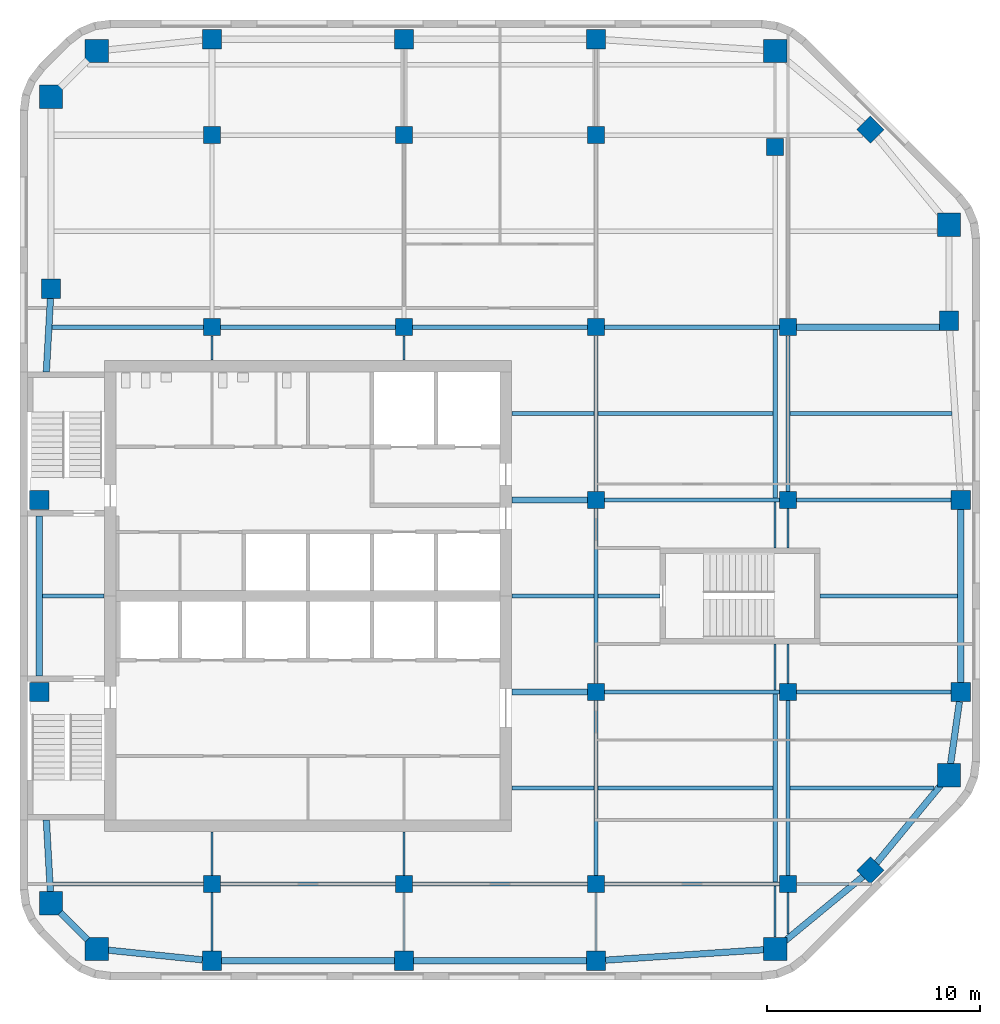
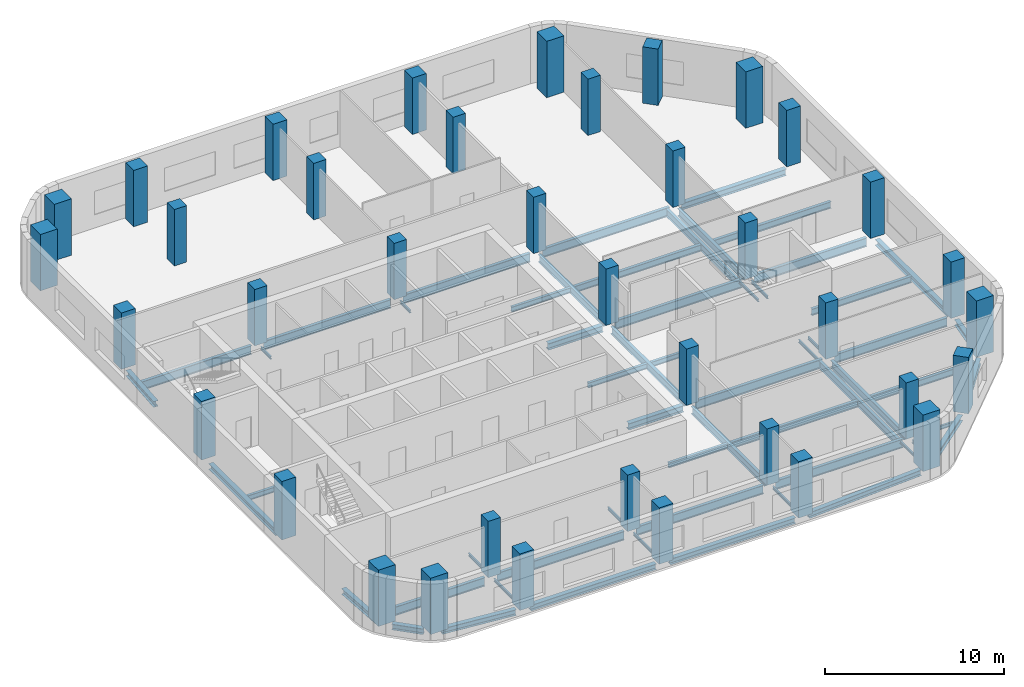
# One storey, part 1 of 8: 58 beams, 38 columns.
"""IFC4 building model written with IfcOpenShell, lengths in metres."""

from ifc_helpers import new_model, si_unit, direction, frame, origin, origin_2d, place, context, subcontext, project, spatial, rectangle, i_section, extrude, material, material_profile, profile_set, type_object, element, save


model = new_model("IFC4")

# Units and contexts
model_context = context("Model", 3, precision=1e-05, world=origin(), true_north=direction((0.0, 1.0)))
body_context = subcontext(model_context, "Body", "Model", "MODEL_VIEW")
ifc_project = project(units=[si_unit("LENGTHUNIT", "METRE"), si_unit("AREAUNIT", "SQUARE_METRE"), si_unit("VOLUMEUNIT", "CUBIC_METRE"), si_unit("PLANEANGLEUNIT", "RADIAN"), si_unit("MASSUNIT", "GRAM", prefix="KILO")], contexts=[model_context])

# Site, building, storey
site_placement = place(None, origin())
site = spatial("IfcSite", under=ifc_project, at=site_placement, CompositionType="ELEMENT")
building_placement = place(site_placement, origin())
building = spatial("IfcBuilding", under=site, at=building_placement, Name="Cinnabar Reach Civic Tower", CompositionType="ELEMENT")
storey_placement = place(building_placement, frame((0.0, 0.0, 210.0)))
storey = spatial("IfcBuildingStorey", under=building, at=storey_placement, Name="L50", CompositionType="ELEMENT", Elevation=210.0)

# Columns
ifc_material_1 = material(Name="Concrete C80", Category="concrete")
ifc_material_profile_1 = material_profile(ifc_material_1, rectangle(XDim=1.1, YDim=1.1, at=origin_2d()), Name="RC1100")
ifc_profile_set_1 = profile_set([ifc_material_profile_1], Name="Concrete C80")
column_type_1 = type_object("IfcColumnType", Name="RC1100 column R 240", PredefinedType="COLUMN", material=ifc_profile_set_1)
for number, where, z_axis, x_axis, name in (
    (1, (3.6019, 14.9531, 0.0), (0.0, 0.0, 1.0), (1.0, 0.0, 0.0), "Column T1-Z4-CC0"),
    (2, (35.3981, 14.9531, 0.0), (0.0, 0.0, 1.0), (1.0, 0.0, 0.0), "Column T1-Z4-CC1"),
    (3, (43.5469, 23.1019, 0.0), (0.0, 0.0, 1.0), (1.0, 0.0, 0.0), "Column T1-Z4-CC2"),
    (4, (43.5469, 48.8981, 0.0), (0.0, 0.0, 1.0), (1.0, 0.0, 0.0), "Column T1-Z4-CC3"),
    (5, (35.3981, 57.0469, 0.0), (0.0, 0.0, 1.0), (1.0, 0.0, 0.0), "Column T1-Z4-CC4"),
    (6, (3.6019, 57.0469, 0.0), (0.0, 0.0, 1.0), (1.0, 0.0, 0.0), "Column T1-Z4-CC5"),
    (7, (1.4531, 54.8981, 0.0), (0.0, 0.0, 1.0), (1.0, 0.0, 0.0), "Column T1-Z4-CC6"),
    (8, (1.4531, 17.1019, 0.0), (0.0, 0.0, 1.0), (1.0, 0.0, 0.0), "Column T1-Z4-CC7"),
):
    element("IfcColumn", number, at=place(storey_placement, frame(where, z_axis=z_axis, x_axis=x_axis)), inside=storey, type_object=column_type_1, Name=name, PredefinedType="COLUMN", context=body_context, shape_type="SweptSolid", body=[
        extrude(rectangle(XDim=1.1, YDim=1.1, at=origin_2d()), origin(), (0.0, 0.0, 1.0), 3.85),
    ])
ifc_material_2 = material(Name="Concrete C60", Category="concrete")
ifc_material_profile_2 = material_profile(ifc_material_2, rectangle(XDim=0.8, YDim=0.8, at=origin_2d()), Name="RC800")
ifc_profile_set_2 = profile_set([ifc_material_profile_2], Name="Concrete C60")
column_type_2 = type_object("IfcColumnType", Name="RC800 column R 240", PredefinedType="COLUMN", material=ifc_profile_set_2)
for number, where, z_axis, x_axis, name in (
    (9, (9.0, 18.0, 0.0), (0.0, 0.0, 1.0), (1.0, 0.0, 0.0), "Column T1-Z4-I9_18"),
    (10, (9.0, 44.1, 0.0), (0.0, 0.0, 1.0), (1.0, 0.0, 0.0), "Column T1-Z4-I9_45"),
    (11, (9.0, 53.1, 0.0), (0.0, 0.0, 1.0), (1.0, 0.0, 0.0), "Column T1-Z4-I9_54"),
    (12, (18.0, 18.0, 0.0), (0.0, 0.0, 1.0), (1.0, 0.0, 0.0), "Column T1-Z4-I18_18"),
    (13, (18.0, 44.1, 0.0), (0.0, 0.0, 1.0), (1.0, 0.0, 0.0), "Column T1-Z4-I18_45"),
    (14, (18.0, 53.1, 0.0), (0.0, 0.0, 1.0), (1.0, 0.0, 0.0), "Column T1-Z4-I18_54"),
    (15, (27.0, 18.0, 0.0), (0.0, 0.0, 1.0), (1.0, 0.0, 0.0), "Column T1-Z4-I27_18"),
    (16, (27.0, 27.0, 0.0), (0.0, 0.0, 1.0), (1.0, 0.0, 0.0), "Column T1-Z4-I27_27"),
    (17, (27.0, 36.0, 0.0), (0.0, 0.0, 1.0), (1.0, 0.0, 0.0), "Column T1-Z4-I27_36"),
    (18, (27.0, 44.1, 0.0), (0.0, 0.0, 1.0), (1.0, 0.0, 0.0), "Column T1-Z4-I27_45"),
    (19, (27.0, 53.1, 0.0), (0.0, 0.0, 1.0), (1.0, 0.0, 0.0), "Column T1-Z4-I27_54"),
    (20, (36.0, 18.0, 0.0), (0.0, 0.0, 1.0), (1.0, 0.0, 0.0), "Column T1-Z4-I36_18"),
    (21, (36.0, 27.0, 0.0), (0.0, 0.0, 1.0), (1.0, 0.0, 0.0), "Column T1-Z4-I36_27"),
    (22, (36.0, 36.0, 0.0), (0.0, 0.0, 1.0), (1.0, 0.0, 0.0), "Column T1-Z4-I36_36"),
    (23, (36.0, 44.1, 0.0), (0.0, 0.0, 1.0), (1.0, 0.0, 0.0), "Column T1-Z4-I36_45"),
    (24, (35.3981, 52.5469, 0.0), (0.0, 0.0, 1.0), (1.0, 0.0, 0.0), "Column T1-Z4-I36_54"),
):
    element("IfcColumn", number, at=place(storey_placement, frame(where, z_axis=z_axis, x_axis=x_axis)), inside=storey, type_object=column_type_2, Name=name, PredefinedType="COLUMN", context=body_context, shape_type="SweptSolid", body=[
        extrude(rectangle(XDim=0.8, YDim=0.8, at=origin_2d()), origin(), (0.0, 0.0, 1.0), 3.85),
    ])
ifc_material_3 = material(Name="Concrete C70", Category="concrete")
ifc_material_profile_3 = material_profile(ifc_material_3, rectangle(XDim=0.9, YDim=0.9, at=origin_2d()), Name="RC900")
ifc_profile_set_3 = profile_set([ifc_material_profile_3], Name="Concrete C70")
column_type_3 = type_object("IfcColumnType", Name="RC900 column R 240", PredefinedType="COLUMN", material=ifc_profile_set_3)
for number, where, z_axis, x_axis, name in (
    (25, (9.0, 14.4, 0.0), (0.0, 0.0, 1.0), (1.0, 0.0, 0.0), "Column T1-Z4-F0-1"),
    (26, (18.0, 14.4, 0.0), (0.0, 0.0, 1.0), (1.0, 0.0, 0.0), "Column T1-Z4-F0-2"),
    (27, (27.0, 14.4, 0.0), (0.0, 0.0, 1.0), (1.0, 0.0, 0.0), "Column T1-Z4-F0-3"),
    (28, (39.8636, 18.6364, 0.0), (0.0, 0.0, 1.0), (0.707106781187, 0.707106781187, 0.0), "Column T1-Z4-F1-M"),
    (29, (44.1, 27.0, 0.0), (0.0, 0.0, 1.0), (1.0, 0.0, 0.0), "Column T1-Z4-F2-3"),
    (30, (44.1, 36.0, 0.0), (0.0, 0.0, 1.0), (1.0, 0.0, 0.0), "Column T1-Z4-F2-4"),
    (31, (43.5469, 44.3981, 0.0), (0.0, 0.0, 1.0), (1.0, 0.0, 0.0), "Column T1-Z4-F2-5"),
    (32, (39.8636, 53.3636, 0.0), (0.0, 0.0, 1.0), (0.707106781187, 0.707106781187, 0.0), "Column T1-Z4-F3-M"),
    (33, (9.0, 57.6, 0.0), (0.0, 0.0, 1.0), (1.0, 0.0, 0.0), "Column T1-Z4-F4-1"),
    (34, (18.0, 57.6, 0.0), (0.0, 0.0, 1.0), (1.0, 0.0, 0.0), "Column T1-Z4-F4-2"),
    (35, (27.0, 57.6, 0.0), (0.0, 0.0, 1.0), (1.0, 0.0, 0.0), "Column T1-Z4-F4-3"),
):
    element("IfcColumn", number, at=place(storey_placement, frame(where, z_axis=z_axis, x_axis=x_axis)), inside=storey, type_object=column_type_3, Name=name, PredefinedType="COLUMN", context=body_context, shape_type="SweptSolid", body=[
        extrude(rectangle(XDim=0.9, YDim=0.9, at=origin_2d()), origin(), (0.0, 0.0, 1.0), 3.85),
    ])
for number, where, z_axis, x_axis, name in (
    (36, (0.9, 27.0, 0.0), (0.0, 0.0, 1.0), (1.0, 0.0, 0.0), "Column T1-Z4-F6-3"),
    (37, (0.9, 36.0, 0.0), (0.0, 0.0, 1.0), (1.0, 0.0, 0.0), "Column T1-Z4-F6-4"),
):
    element("IfcColumn", number, at=place(storey_placement, frame(where, z_axis=z_axis, x_axis=x_axis)), inside=storey, type_object=column_type_3, Name=name, PredefinedType="COLUMN", context=body_context, shape_type="SweptSolid", body=[
        extrude(rectangle(XDim=0.9, YDim=0.9, at=origin_2d()), origin(), (0.0, 0.0, 1.0), 4.0),
    ])
column_placement = place(storey_placement, frame((1.4531, 45.8981, 0.0), z_axis=(0.0, 0.0, 1.0), x_axis=(1.0, 0.0, 0.0)))
element("IfcColumn", 38, at=column_placement, inside=storey, type_object=column_type_3, Name="Column T1-Z4-F6-5", PredefinedType="COLUMN", context=body_context, shape_type="SweptSolid", body=[
    extrude(rectangle(XDim=0.9, YDim=0.9, at=origin_2d()), origin(), (0.0, 0.0, 1.0), 3.85),
])

# Beams
ifc_material_4 = material(Name="Steel Q355B", Category="steel")
ifc_material_profile_4 = material_profile(ifc_material_4, i_section(OverallWidth=0.3, OverallDepth=0.39, WebThickness=0.01, FlangeThickness=0.016, FilletRadius=0.013, at=origin_2d()), Name="HM390x300x10x16")
ifc_profile_set_4 = profile_set([ifc_material_profile_4], Name="Steel Q355B")
beam_type_1 = type_object("IfcBeamType", Name="HM390x300x10x16 beam R 180", PredefinedType="BEAM", material=ifc_profile_set_4)
beam_1_placement = place(storey_placement, frame((4.0339, 14.9088, -0.345), z_axis=(0.994792272495, -0.101923179821, 0.0), x_axis=(0.101923179821, 0.994792272495, 0.0)))
element("IfcBeam", 39, at=beam_1_placement, inside=storey, type_object=beam_type_1, Name="Edge beam T1 L50 1", PredefinedType="BEAM", context=body_context, shape_type="SweptSolid", body=[
    extrude(i_section(OverallWidth=0.3, OverallDepth=0.39, WebThickness=0.01, FlangeThickness=0.016, FilletRadius=0.013, at=origin_2d()), origin(), (0.0, 0.0, 1.0), 4.5377),
])
for number, where, z_axis, x_axis, name in (
    (40, (9.452, 14.4, -0.345), (1.0, 0.0, 0.0), (0.0, 1.0, 0.0), "Edge beam T1 L50 2"),
    (41, (18.452, 14.4, -0.345), (1.0, 0.0, 0.0), (0.0, 1.0, 0.0), "Edge beam T1 L50 3"),
):
    element("IfcBeam", number, at=place(storey_placement, frame(where, z_axis=z_axis, x_axis=x_axis)), inside=storey, type_object=beam_type_1, Name=name, PredefinedType="BEAM", context=body_context, shape_type="SweptSolid", body=[
        extrude(i_section(OverallWidth=0.3, OverallDepth=0.39, WebThickness=0.01, FlangeThickness=0.016, FilletRadius=0.013, at=origin_2d()), origin(), (0.0, 0.0, 1.0), 8.096),
    ])
beam_2_placement = place(storey_placement, frame((27.452, 14.4298, -0.345), z_axis=(0.99783894477, 0.065707231721, 0.0), x_axis=(-0.065707231721, 0.99783894477, 0.0)))
element("IfcBeam", 42, at=beam_2_placement, inside=storey, type_object=beam_type_1, Name="Edge beam T1 L50 4", PredefinedType="BEAM", context=body_context, shape_type="SweptSolid", body=[
    extrude(i_section(OverallWidth=0.3, OverallDepth=0.39, WebThickness=0.01, FlangeThickness=0.016, FilletRadius=0.013, at=origin_2d()), origin(), (0.0, 0.0, 1.0), 7.5304),
])
for number, where, z_axis, x_axis, name in (
    (43, (35.8301, 15.3094, -0.345), (0.771434448755, 0.63630880182, 0.0), (-0.63630880182, 0.771434448755, 0.0), "Edge beam T1 L50 5"),
    (44, (40.1142, 18.9402, -0.345), (0.63630880182, 0.771434448755, 0.0), (-0.771434448755, 0.63630880182, 0.0), "Edge beam T1 L50 6"),
):
    element("IfcBeam", number, at=place(storey_placement, frame(where, z_axis=z_axis, x_axis=x_axis)), inside=storey, type_object=beam_type_1, Name=name, PredefinedType="BEAM", context=body_context, shape_type="SweptSolid", body=[
        extrude(i_section(OverallWidth=0.3, OverallDepth=0.39, WebThickness=0.01, FlangeThickness=0.016, FilletRadius=0.013, at=origin_2d()), origin(), (0.0, 0.0, 1.0), 4.8348),
    ])
beam_3_placement = place(storey_placement, frame((43.6082, 23.5339, -0.345), z_axis=(0.140492342965, 0.990081765092, 0.0), x_axis=(-0.990081765092, 0.140492342965, 0.0)))
element("IfcBeam", 45, at=beam_3_placement, inside=storey, type_object=beam_type_1, Name="Edge beam T1 L50 7", PredefinedType="BEAM", context=body_context, shape_type="SweptSolid", body=[
    extrude(i_section(OverallWidth=0.3, OverallDepth=0.39, WebThickness=0.01, FlangeThickness=0.016, FilletRadius=0.013, at=origin_2d()), origin(), (0.0, 0.0, 1.0), 3.0443),
])
beam_4_placement = place(storey_placement, frame((44.1, 27.452, -0.345), z_axis=(0.0, 1.0, 0.0), x_axis=(-1.0, 0.0, 0.0)))
element("IfcBeam", 46, at=beam_4_placement, inside=storey, type_object=beam_type_1, Name="Edge beam T1 L50 8", PredefinedType="BEAM", context=body_context, shape_type="SweptSolid", body=[
    extrude(i_section(OverallWidth=0.3, OverallDepth=0.39, WebThickness=0.01, FlangeThickness=0.016, FilletRadius=0.013, at=origin_2d()), origin(), (0.0, 0.0, 1.0), 8.096),
])
beam_5_placement = place(storey_placement, frame((1.4278, 45.4461, -0.345), z_axis=(-0.0557766862, -0.998443268932, 0.0), x_axis=(0.998443268932, -0.0557766862, 0.0)))
element("IfcBeam", 47, at=beam_5_placement, inside=storey, type_object=beam_type_1, Name="Edge beam T1 L50 19", PredefinedType="BEAM", context=body_context, shape_type="SweptSolid", body=[
    extrude(i_section(OverallWidth=0.3, OverallDepth=0.39, WebThickness=0.01, FlangeThickness=0.016, FilletRadius=0.013, at=origin_2d()), origin(), (0.0, 0.0, 1.0), 3.4495),
])
beam_6_placement = place(storey_placement, frame((0.9, 35.248, -0.345), z_axis=(0.0, -1.0, 0.0), x_axis=(1.0, 0.0, 0.0)))
element("IfcBeam", 48, at=beam_6_placement, inside=storey, type_object=beam_type_1, Name="Edge beam T1 L50 20", PredefinedType="BEAM", context=body_context, shape_type="SweptSolid", body=[
    extrude(i_section(OverallWidth=0.3, OverallDepth=0.39, WebThickness=0.01, FlangeThickness=0.016, FilletRadius=0.013, at=origin_2d()), origin(), (0.0, 0.0, 1.0), 7.496),
])
beam_7_placement = place(storey_placement, frame((1.2354, 20.998, -0.345), z_axis=(0.05580045603, -0.998441940779, 0.0), x_axis=(0.998441940779, 0.05580045603, 0.0)))
element("IfcBeam", 49, at=beam_7_placement, inside=storey, type_object=beam_type_1, Name="Edge beam T1 L50 21", PredefinedType="BEAM", context=body_context, shape_type="SweptSolid", body=[
    extrude(i_section(OverallWidth=0.3, OverallDepth=0.39, WebThickness=0.01, FlangeThickness=0.016, FilletRadius=0.013, at=origin_2d()), origin(), (0.0, 0.0, 1.0), 3.4695),
])
beam_8_placement = place(storey_placement, frame((1.8851, 16.6699, -0.345), z_axis=(0.707106781187, -0.707106781187, 0.0), x_axis=(0.707106781187, 0.707106781187, 0.0)))
element("IfcBeam", 50, at=beam_8_placement, inside=storey, type_object=beam_type_1, Name="Edge beam T1 L50 22", PredefinedType="BEAM", context=body_context, shape_type="SweptSolid", body=[
    extrude(i_section(OverallWidth=0.3, OverallDepth=0.39, WebThickness=0.01, FlangeThickness=0.016, FilletRadius=0.013, at=origin_2d()), origin(), (0.0, 0.0, 1.0), 1.817),
])
ifc_material_profile_5 = material_profile(ifc_material_4, i_section(OverallWidth=0.3, OverallDepth=0.44, WebThickness=0.011, FlangeThickness=0.018, FilletRadius=0.016, at=origin_2d()), Name="HM440x300x11x18")
ifc_profile_set_5 = profile_set([ifc_material_profile_5], Name="Steel Q355B")
beam_type_2 = type_object("IfcBeamType", Name="HM440x300x11x18 beam R 180", PredefinedType="BEAM", material=ifc_profile_set_5)
for number, where, z_axis, x_axis, name in (
    (51, (23.052, 27.0, -0.37), (1.0, 0.0, 0.0), (0.0, 1.0, 0.0), "Girder T1 L50 6"),
    (52, (23.052, 36.0, -0.37), (1.0, 0.0, 0.0), (0.0, 1.0, 0.0), "Girder T1 L50 9"),
):
    element("IfcBeam", number, at=place(storey_placement, frame(where, z_axis=z_axis, x_axis=x_axis)), inside=storey, type_object=beam_type_2, Name=name, PredefinedType="BEAM", context=body_context, shape_type="SweptSolid", body=[
        extrude(i_section(OverallWidth=0.3, OverallDepth=0.44, WebThickness=0.011, FlangeThickness=0.018, FilletRadius=0.016, at=origin_2d()), origin(), (0.0, 0.0, 1.0), 3.546),
    ])
beam_9_placement = place(storey_placement, frame((36.402, 44.1, -0.37), z_axis=(1.0, 0.0, 0.0), x_axis=(0.0, 1.0, 0.0)))
element("IfcBeam", 53, at=beam_9_placement, inside=storey, type_object=beam_type_2, Name="Girder T1 L50 16", PredefinedType="BEAM", context=body_context, shape_type="SweptSolid", body=[
    extrude(i_section(OverallWidth=0.3, OverallDepth=0.44, WebThickness=0.011, FlangeThickness=0.018, FilletRadius=0.016, at=origin_2d()), origin(), (0.0, 0.0, 1.0), 6.6929),
])
ifc_material_profile_6 = material_profile(ifc_material_4, i_section(OverallWidth=0.099, OverallDepth=0.198, WebThickness=0.0045, FlangeThickness=0.007, FilletRadius=0.013, at=origin_2d()), Name="HN200x100x5.5x8")
ifc_profile_set_6 = profile_set([ifc_material_profile_6], Name="Steel Q355B")
beam_type_3 = type_object("IfcBeamType", Name="HN200x100x5.5x8 beam R 180", PredefinedType="BEAM", material=ifc_profile_set_6)
beam_10_placement = place(storey_placement, frame((9.0, 14.852, -0.249), z_axis=(0.0, 1.0, 0.0), x_axis=(-1.0, 0.0, 0.0)))
element("IfcBeam", 54, at=beam_10_placement, inside=storey, type_object=beam_type_3, Name="Girder T1 L50 1", PredefinedType="BEAM", context=body_context, shape_type="SweptSolid", body=[
    extrude(i_section(OverallWidth=0.099, OverallDepth=0.198, WebThickness=0.0045, FlangeThickness=0.007, FilletRadius=0.013, at=origin_2d()), origin(), (0.0, 0.0, 1.0), 2.746),
])
beam_11_placement = place(storey_placement, frame((9.0, 18.402, -0.249), z_axis=(0.0, 1.0, 0.0), x_axis=(-1.0, 0.0, 0.0)))
element("IfcBeam", 55, at=beam_11_placement, inside=storey, type_object=beam_type_3, Name="Girder T1 L50 2", PredefinedType="BEAM", context=body_context, shape_type="SweptSolid", body=[
    extrude(i_section(OverallWidth=0.099, OverallDepth=0.198, WebThickness=0.0045, FlangeThickness=0.007, FilletRadius=0.013, at=origin_2d()), origin(), (0.0, 0.0, 1.0), 2.046),
])
beam_12_placement = place(storey_placement, frame((9.0, 42.552, -0.249), z_axis=(0.0, 1.0, 0.0), x_axis=(-1.0, 0.0, 0.0)))
element("IfcBeam", 56, at=beam_12_placement, inside=storey, type_object=beam_type_3, Name="Girder T1 L50 3", PredefinedType="BEAM", context=body_context, shape_type="SweptSolid", body=[
    extrude(i_section(OverallWidth=0.099, OverallDepth=0.198, WebThickness=0.0045, FlangeThickness=0.007, FilletRadius=0.013, at=origin_2d()), origin(), (0.0, 0.0, 1.0), 1.146),
])
beam_13_placement = place(storey_placement, frame((18.0, 14.852, -0.249), z_axis=(0.0, 1.0, 0.0), x_axis=(-1.0, 0.0, 0.0)))
element("IfcBeam", 57, at=beam_13_placement, inside=storey, type_object=beam_type_3, Name="Girder T1 L50 6", PredefinedType="BEAM", context=body_context, shape_type="SweptSolid", body=[
    extrude(i_section(OverallWidth=0.099, OverallDepth=0.198, WebThickness=0.0045, FlangeThickness=0.007, FilletRadius=0.013, at=origin_2d()), origin(), (0.0, 0.0, 1.0), 2.746),
])
beam_14_placement = place(storey_placement, frame((18.0, 18.402, -0.249), z_axis=(0.0, 1.0, 0.0), x_axis=(-1.0, 0.0, 0.0)))
element("IfcBeam", 58, at=beam_14_placement, inside=storey, type_object=beam_type_3, Name="Girder T1 L50 7", PredefinedType="BEAM", context=body_context, shape_type="SweptSolid", body=[
    extrude(i_section(OverallWidth=0.099, OverallDepth=0.198, WebThickness=0.0045, FlangeThickness=0.007, FilletRadius=0.013, at=origin_2d()), origin(), (0.0, 0.0, 1.0), 2.046),
])
beam_15_placement = place(storey_placement, frame((18.0, 42.552, -0.249), z_axis=(0.0, 1.0, 0.0), x_axis=(-1.0, 0.0, 0.0)))
element("IfcBeam", 59, at=beam_15_placement, inside=storey, type_object=beam_type_3, Name="Girder T1 L50 8", PredefinedType="BEAM", context=body_context, shape_type="SweptSolid", body=[
    extrude(i_section(OverallWidth=0.099, OverallDepth=0.198, WebThickness=0.0045, FlangeThickness=0.007, FilletRadius=0.013, at=origin_2d()), origin(), (0.0, 0.0, 1.0), 1.146),
])
beam_16_placement = place(storey_placement, frame((27.0, 14.852, -0.249), z_axis=(0.0, 1.0, 0.0), x_axis=(-1.0, 0.0, 0.0)))
element("IfcBeam", 60, at=beam_16_placement, inside=storey, type_object=beam_type_3, Name="Girder T1 L50 11", PredefinedType="BEAM", context=body_context, shape_type="SweptSolid", body=[
    extrude(i_section(OverallWidth=0.099, OverallDepth=0.198, WebThickness=0.0045, FlangeThickness=0.007, FilletRadius=0.013, at=origin_2d()), origin(), (0.0, 0.0, 1.0), 2.746),
])
beam_17_placement = place(storey_placement, frame((35.3981, 15.5051, -0.249), z_axis=(0.0, 1.0, 0.0), x_axis=(-1.0, 0.0, 0.0)))
element("IfcBeam", 61, at=beam_17_placement, inside=storey, type_object=beam_type_3, Name="Girder T1 L50 17", PredefinedType="BEAM", context=body_context, shape_type="SweptSolid", body=[
    extrude(i_section(OverallWidth=0.099, OverallDepth=0.198, WebThickness=0.0045, FlangeThickness=0.007, FilletRadius=0.013, at=origin_2d()), origin(), (0.0, 0.0, 1.0), 2.3934),
])
for number, where, z_axis, x_axis, name in (
    (62, (35.3981, 27.1015, -0.249), (0.0, 1.0, 0.0), (-1.0, 0.0, 0.0), "Girder T1 L50 19"),
    (63, (35.3981, 33.752, -0.249), (0.0, 1.0, 0.0), (-1.0, 0.0, 0.0), "Girder T1 L50 20"),
):
    element("IfcBeam", number, at=place(storey_placement, frame(where, z_axis=z_axis, x_axis=x_axis)), inside=storey, type_object=beam_type_3, Name=name, PredefinedType="BEAM", context=body_context, shape_type="SweptSolid", body=[
        extrude(i_section(OverallWidth=0.099, OverallDepth=0.198, WebThickness=0.0045, FlangeThickness=0.007, FilletRadius=0.013, at=origin_2d()), origin(), (0.0, 0.0, 1.0), 2.1465),
    ])
beam_18_placement = place(storey_placement, frame((36.0, 15.6466, -0.249), z_axis=(0.0, 1.0, 0.0), x_axis=(-1.0, 0.0, 0.0)))
element("IfcBeam", 64, at=beam_18_placement, inside=storey, type_object=beam_type_3, Name="Girder T1 L50 24", PredefinedType="BEAM", context=body_context, shape_type="SweptSolid", body=[
    extrude(i_section(OverallWidth=0.099, OverallDepth=0.198, WebThickness=0.0045, FlangeThickness=0.007, FilletRadius=0.013, at=origin_2d()), origin(), (0.0, 0.0, 1.0), 1.9514),
])
for number, where, z_axis, x_axis, name in (
    (65, (36.0, 27.402, -0.249), (0.0, 1.0, 0.0), (-1.0, 0.0, 0.0), "Girder T1 L50 26"),
    (66, (36.0, 33.752, -0.249), (0.0, 1.0, 0.0), (-1.0, 0.0, 0.0), "Girder T1 L50 27"),
):
    element("IfcBeam", number, at=place(storey_placement, frame(where, z_axis=z_axis, x_axis=x_axis)), inside=storey, type_object=beam_type_3, Name=name, PredefinedType="BEAM", context=body_context, shape_type="SweptSolid", body=[
        extrude(i_section(OverallWidth=0.099, OverallDepth=0.198, WebThickness=0.0045, FlangeThickness=0.007, FilletRadius=0.013, at=origin_2d()), origin(), (0.0, 0.0, 1.0), 1.846),
    ])
ifc_material_profile_7 = material_profile(ifc_material_4, i_section(OverallWidth=0.124, OverallDepth=0.248, WebThickness=0.005, FlangeThickness=0.008, FilletRadius=0.013, at=origin_2d()), Name="HN250x125x6x9")
ifc_profile_set_7 = profile_set([ifc_material_profile_7], Name="Steel Q355B")
beam_type_4 = type_object("IfcBeamType", Name="HN250x125x6x9 beam R 180", PredefinedType="BEAM", material=ifc_profile_set_7)
beam_19_placement = place(storey_placement, frame((36.402, 18.0, -0.274), z_axis=(1.0, 0.0, 0.0), x_axis=(0.0, 1.0, 0.0)))
element("IfcBeam", 67, at=beam_19_placement, inside=storey, type_object=beam_type_4, Name="Girder T1 L50 5", PredefinedType="BEAM", context=body_context, shape_type="SweptSolid", body=[
    extrude(i_section(OverallWidth=0.124, OverallDepth=0.248, WebThickness=0.005, FlangeThickness=0.008, FilletRadius=0.013, at=origin_2d()), origin(), (0.0, 0.0, 1.0), 2.4512),
])
ifc_material_profile_8 = material_profile(ifc_material_4, i_section(OverallWidth=0.174, OverallDepth=0.346, WebThickness=0.006, FlangeThickness=0.009, FilletRadius=0.013, at=origin_2d()), Name="HN346x174x6x9")
ifc_profile_set_8 = profile_set([ifc_material_profile_8], Name="Steel Q355B")
beam_type_5 = type_object("IfcBeamType", Name="HN346x174x6x9 beam R 180", PredefinedType="BEAM", material=ifc_profile_set_8)
beam_20_placement = place(storey_placement, frame((23.052, 22.5, -0.323), z_axis=(1.0, 0.0, 0.0), x_axis=(0.0, 1.0, 0.0)))
element("IfcBeam", 68, at=beam_20_placement, inside=storey, type_object=beam_type_5, Name="Secondary beam T1 L50 1", PredefinedType="BEAM", context=body_context, shape_type="SweptSolid", body=[
    extrude(i_section(OverallWidth=0.174, OverallDepth=0.346, WebThickness=0.006, FlangeThickness=0.009, FilletRadius=0.013, at=origin_2d()), origin(), (0.0, 0.0, 1.0), 3.846),
])
beam_21_placement = place(storey_placement, frame((1.052, 31.5, -0.323), z_axis=(1.0, 0.0, 0.0), x_axis=(0.0, 1.0, 0.0)))
element("IfcBeam", 69, at=beam_21_placement, inside=storey, type_object=beam_type_5, Name="Secondary beam T1 L50 4", PredefinedType="BEAM", context=body_context, shape_type="SweptSolid", body=[
    extrude(i_section(OverallWidth=0.174, OverallDepth=0.346, WebThickness=0.006, FlangeThickness=0.009, FilletRadius=0.013, at=origin_2d()), origin(), (0.0, 0.0, 1.0), 2.896),
])
beam_22_placement = place(storey_placement, frame((23.052, 31.5, -0.323), z_axis=(1.0, 0.0, 0.0), x_axis=(0.0, 1.0, 0.0)))
element("IfcBeam", 70, at=beam_22_placement, inside=storey, type_object=beam_type_5, Name="Secondary beam T1 L50 5", PredefinedType="BEAM", context=body_context, shape_type="SweptSolid", body=[
    extrude(i_section(OverallWidth=0.174, OverallDepth=0.346, WebThickness=0.006, FlangeThickness=0.009, FilletRadius=0.013, at=origin_2d()), origin(), (0.0, 0.0, 1.0), 3.846),
])
beam_23_placement = place(storey_placement, frame((27.102, 31.5, -0.323), z_axis=(1.0, 0.0, 0.0), x_axis=(0.0, 1.0, 0.0)))
element("IfcBeam", 71, at=beam_23_placement, inside=storey, type_object=beam_type_5, Name="Secondary beam T1 L50 6", PredefinedType="BEAM", context=body_context, shape_type="SweptSolid", body=[
    extrude(i_section(OverallWidth=0.174, OverallDepth=0.346, WebThickness=0.006, FlangeThickness=0.009, FilletRadius=0.013, at=origin_2d()), origin(), (0.0, 0.0, 1.0), 2.896),
])
beam_24_placement = place(storey_placement, frame((23.052, 40.05, -0.323), z_axis=(1.0, 0.0, 0.0), x_axis=(0.0, 1.0, 0.0)))
element("IfcBeam", 72, at=beam_24_placement, inside=storey, type_object=beam_type_5, Name="Secondary beam T1 L50 8", PredefinedType="BEAM", context=body_context, shape_type="SweptSolid", body=[
    extrude(i_section(OverallWidth=0.174, OverallDepth=0.346, WebThickness=0.006, FlangeThickness=0.009, FilletRadius=0.013, at=origin_2d()), origin(), (0.0, 0.0, 1.0), 3.846),
])
ifc_material_profile_9 = material_profile(ifc_material_4, i_section(OverallWidth=0.199, OverallDepth=0.446, WebThickness=0.008, FlangeThickness=0.012, FilletRadius=0.016, at=origin_2d()), Name="HN446x199x8x12")
ifc_profile_set_9 = profile_set([ifc_material_profile_9], Name="Steel Q355B")
beam_type_6 = type_object("IfcBeamType", Name="HN446x199x8x12 beam R 180", PredefinedType="BEAM", material=ifc_profile_set_9)
beam_25_placement = place(storey_placement, frame((27.102, 22.5, -0.373), z_axis=(1.0, 0.0, 0.0), x_axis=(0.0, 1.0, 0.0)))
element("IfcBeam", 73, at=beam_25_placement, inside=storey, type_object=beam_type_6, Name="Secondary beam T1 L50 2", PredefinedType="BEAM", context=body_context, shape_type="SweptSolid", body=[
    extrude(i_section(OverallWidth=0.199, OverallDepth=0.446, WebThickness=0.008, FlangeThickness=0.012, FilletRadius=0.016, at=origin_2d()), origin(), (0.0, 0.0, 1.0), 8.1941),
])
beam_26_placement = place(storey_placement, frame((36.102, 22.5, -0.373), z_axis=(1.0, 0.0, 0.0), x_axis=(0.0, 1.0, 0.0)))
element("IfcBeam", 74, at=beam_26_placement, inside=storey, type_object=beam_type_6, Name="Secondary beam T1 L50 3", PredefinedType="BEAM", context=body_context, shape_type="SweptSolid", body=[
    extrude(i_section(OverallWidth=0.199, OverallDepth=0.446, WebThickness=0.008, FlangeThickness=0.012, FilletRadius=0.016, at=origin_2d()), origin(), (0.0, 0.0, 1.0), 6.7514),
])
beam_27_placement = place(storey_placement, frame((37.502, 31.5, -0.373), z_axis=(1.0, 0.0, 0.0), x_axis=(0.0, 1.0, 0.0)))
element("IfcBeam", 75, at=beam_27_placement, inside=storey, type_object=beam_type_6, Name="Secondary beam T1 L50 7", PredefinedType="BEAM", context=body_context, shape_type="SweptSolid", body=[
    extrude(i_section(OverallWidth=0.199, OverallDepth=0.446, WebThickness=0.008, FlangeThickness=0.012, FilletRadius=0.016, at=origin_2d()), origin(), (0.0, 0.0, 1.0), 6.446),
])
beam_28_placement = place(storey_placement, frame((27.102, 40.05, -0.373), z_axis=(1.0, 0.0, 0.0), x_axis=(0.0, 1.0, 0.0)))
element("IfcBeam", 76, at=beam_28_placement, inside=storey, type_object=beam_type_6, Name="Secondary beam T1 L50 9", PredefinedType="BEAM", context=body_context, shape_type="SweptSolid", body=[
    extrude(i_section(OverallWidth=0.199, OverallDepth=0.446, WebThickness=0.008, FlangeThickness=0.012, FilletRadius=0.016, at=origin_2d()), origin(), (0.0, 0.0, 1.0), 8.1941),
])
beam_29_placement = place(storey_placement, frame((36.102, 40.05, -0.373), z_axis=(1.0, 0.0, 0.0), x_axis=(0.0, 1.0, 0.0)))
element("IfcBeam", 77, at=beam_29_placement, inside=storey, type_object=beam_type_6, Name="Secondary beam T1 L50 10", PredefinedType="BEAM", context=body_context, shape_type="SweptSolid", body=[
    extrude(i_section(OverallWidth=0.199, OverallDepth=0.446, WebThickness=0.008, FlangeThickness=0.012, FilletRadius=0.016, at=origin_2d()), origin(), (0.0, 0.0, 1.0), 7.5789),
])
ifc_material_profile_10 = material_profile(ifc_material_4, i_section(OverallWidth=0.2, OverallDepth=0.5, WebThickness=0.01, FlangeThickness=0.016, FilletRadius=0.016, at=origin_2d()), Name="HN500x200x10x16")
ifc_profile_set_10 = profile_set([ifc_material_profile_10], Name="Steel Q355B")
beam_type_7 = type_object("IfcBeamType", Name="HN500x200x10x16 beam R 180", PredefinedType="BEAM", material=ifc_profile_set_10)
for number, where, z_axis, x_axis, name in (
    (78, (27.0, 18.402, -0.4), (0.0, 1.0, 0.0), (-1.0, 0.0, 0.0), "Girder T1 L50 12"),
    (79, (27.0, 27.402, -0.4), (0.0, 1.0, 0.0), (-1.0, 0.0, 0.0), "Girder T1 L50 13"),
):
    element("IfcBeam", number, at=place(storey_placement, frame(where, z_axis=z_axis, x_axis=x_axis)), inside=storey, type_object=beam_type_7, Name=name, PredefinedType="BEAM", context=body_context, shape_type="SweptSolid", body=[
        extrude(i_section(OverallWidth=0.2, OverallDepth=0.5, WebThickness=0.01, FlangeThickness=0.016, FilletRadius=0.016, at=origin_2d()), origin(), (0.0, 0.0, 1.0), 8.196),
    ])
beam_30_placement = place(storey_placement, frame((27.0, 36.402, -0.4), z_axis=(0.0, 1.0, 0.0), x_axis=(-1.0, 0.0, 0.0)))
element("IfcBeam", 80, at=beam_30_placement, inside=storey, type_object=beam_type_7, Name="Girder T1 L50 14", PredefinedType="BEAM", context=body_context, shape_type="SweptSolid", body=[
    extrude(i_section(OverallWidth=0.2, OverallDepth=0.5, WebThickness=0.01, FlangeThickness=0.016, FilletRadius=0.016, at=origin_2d()), origin(), (0.0, 0.0, 1.0), 7.296),
])
beam_31_placement = place(storey_placement, frame((35.3981, 18.1015, -0.4), z_axis=(0.0, 1.0, 0.0), x_axis=(-1.0, 0.0, 0.0)))
element("IfcBeam", 81, at=beam_31_placement, inside=storey, type_object=beam_type_7, Name="Girder T1 L50 18", PredefinedType="BEAM", context=body_context, shape_type="SweptSolid", body=[
    extrude(i_section(OverallWidth=0.2, OverallDepth=0.5, WebThickness=0.01, FlangeThickness=0.016, FilletRadius=0.016, at=origin_2d()), origin(), (0.0, 0.0, 1.0), 8.797),
])
beam_32_placement = place(storey_placement, frame((35.3981, 36.1015, -0.4), z_axis=(0.0, 1.0, 0.0), x_axis=(-1.0, 0.0, 0.0)))
element("IfcBeam", 82, at=beam_32_placement, inside=storey, type_object=beam_type_7, Name="Girder T1 L50 21", PredefinedType="BEAM", context=body_context, shape_type="SweptSolid", body=[
    extrude(i_section(OverallWidth=0.2, OverallDepth=0.5, WebThickness=0.01, FlangeThickness=0.016, FilletRadius=0.016, at=origin_2d()), origin(), (0.0, 0.0, 1.0), 7.897),
])
beam_33_placement = place(storey_placement, frame((36.0, 18.402, -0.4), z_axis=(0.0, 1.0, 0.0), x_axis=(-1.0, 0.0, 0.0)))
element("IfcBeam", 83, at=beam_33_placement, inside=storey, type_object=beam_type_7, Name="Girder T1 L50 25", PredefinedType="BEAM", context=body_context, shape_type="SweptSolid", body=[
    extrude(i_section(OverallWidth=0.2, OverallDepth=0.5, WebThickness=0.01, FlangeThickness=0.016, FilletRadius=0.016, at=origin_2d()), origin(), (0.0, 0.0, 1.0), 8.196),
])
beam_34_placement = place(storey_placement, frame((36.0, 36.402, -0.4), z_axis=(0.0, 1.0, 0.0), x_axis=(-1.0, 0.0, 0.0)))
element("IfcBeam", 84, at=beam_34_placement, inside=storey, type_object=beam_type_7, Name="Girder T1 L50 28", PredefinedType="BEAM", context=body_context, shape_type="SweptSolid", body=[
    extrude(i_section(OverallWidth=0.2, OverallDepth=0.5, WebThickness=0.01, FlangeThickness=0.016, FilletRadius=0.016, at=origin_2d()), origin(), (0.0, 0.0, 1.0), 7.296),
])
ifc_material_profile_11 = material_profile(ifc_material_4, i_section(OverallWidth=0.199, OverallDepth=0.596, WebThickness=0.01, FlangeThickness=0.015, FilletRadius=0.016, at=origin_2d()), Name="HN596x199x10x15")
ifc_profile_set_11 = profile_set([ifc_material_profile_11], Name="Steel Q355B")
beam_type_8 = type_object("IfcBeamType", Name="HN596x199x10x15 beam R 180", PredefinedType="BEAM", material=ifc_profile_set_11)
beam_35_placement = place(storey_placement, frame((1.5552, 18.0, -0.448), z_axis=(1.0, 0.0, 0.0), x_axis=(0.0, 1.0, 0.0)))
element("IfcBeam", 85, at=beam_35_placement, inside=storey, type_object=beam_type_8, Name="Girder T1 L50 1", PredefinedType="BEAM", context=body_context, shape_type="SweptSolid", body=[
    extrude(i_section(OverallWidth=0.199, OverallDepth=0.596, WebThickness=0.01, FlangeThickness=0.015, FilletRadius=0.016, at=origin_2d()), origin(), (0.0, 0.0, 1.0), 7.0428),
])
for number, where, z_axis, x_axis, name in (
    (86, (9.402, 18.0, -0.448), (1.0, 0.0, 0.0), (0.0, 1.0, 0.0), "Girder T1 L50 2"),
    (87, (18.402, 18.0, -0.448), (1.0, 0.0, 0.0), (0.0, 1.0, 0.0), "Girder T1 L50 3"),
    (88, (27.402, 18.0, -0.448), (1.0, 0.0, 0.0), (0.0, 1.0, 0.0), "Girder T1 L50 4"),
    (89, (27.402, 27.0, -0.448), (1.0, 0.0, 0.0), (0.0, 1.0, 0.0), "Girder T1 L50 7"),
):
    element("IfcBeam", number, at=place(storey_placement, frame(where, z_axis=z_axis, x_axis=x_axis)), inside=storey, type_object=beam_type_8, Name=name, PredefinedType="BEAM", context=body_context, shape_type="SweptSolid", body=[
        extrude(i_section(OverallWidth=0.199, OverallDepth=0.596, WebThickness=0.01, FlangeThickness=0.015, FilletRadius=0.016, at=origin_2d()), origin(), (0.0, 0.0, 1.0), 8.196),
    ])
beam_36_placement = place(storey_placement, frame((36.402, 27.0, -0.448), z_axis=(1.0, 0.0, 0.0), x_axis=(0.0, 1.0, 0.0)))
element("IfcBeam", 90, at=beam_36_placement, inside=storey, type_object=beam_type_8, Name="Girder T1 L50 8", PredefinedType="BEAM", context=body_context, shape_type="SweptSolid", body=[
    extrude(i_section(OverallWidth=0.199, OverallDepth=0.596, WebThickness=0.01, FlangeThickness=0.015, FilletRadius=0.016, at=origin_2d()), origin(), (0.0, 0.0, 1.0), 7.246),
])
beam_37_placement = place(storey_placement, frame((27.402, 36.0, -0.448), z_axis=(1.0, 0.0, 0.0), x_axis=(0.0, 1.0, 0.0)))
element("IfcBeam", 91, at=beam_37_placement, inside=storey, type_object=beam_type_8, Name="Girder T1 L50 10", PredefinedType="BEAM", context=body_context, shape_type="SweptSolid", body=[
    extrude(i_section(OverallWidth=0.199, OverallDepth=0.596, WebThickness=0.01, FlangeThickness=0.015, FilletRadius=0.016, at=origin_2d()), origin(), (0.0, 0.0, 1.0), 8.196),
])
beam_38_placement = place(storey_placement, frame((36.402, 36.0, -0.448), z_axis=(1.0, 0.0, 0.0), x_axis=(0.0, 1.0, 0.0)))
element("IfcBeam", 92, at=beam_38_placement, inside=storey, type_object=beam_type_8, Name="Girder T1 L50 11", PredefinedType="BEAM", context=body_context, shape_type="SweptSolid", body=[
    extrude(i_section(OverallWidth=0.199, OverallDepth=0.596, WebThickness=0.01, FlangeThickness=0.015, FilletRadius=0.016, at=origin_2d()), origin(), (0.0, 0.0, 1.0), 7.246),
])
beam_39_placement = place(storey_placement, frame((1.5049, 44.1, -0.448), z_axis=(1.0, 0.0, 0.0), x_axis=(0.0, 1.0, 0.0)))
element("IfcBeam", 93, at=beam_39_placement, inside=storey, type_object=beam_type_8, Name="Girder T1 L50 12", PredefinedType="BEAM", context=body_context, shape_type="SweptSolid", body=[
    extrude(i_section(OverallWidth=0.199, OverallDepth=0.596, WebThickness=0.01, FlangeThickness=0.015, FilletRadius=0.016, at=origin_2d()), origin(), (0.0, 0.0, 1.0), 7.0931),
])
for number, where, z_axis, x_axis, name in (
    (94, (9.402, 44.1, -0.448), (1.0, 0.0, 0.0), (0.0, 1.0, 0.0), "Girder T1 L50 13"),
    (95, (18.402, 44.1, -0.448), (1.0, 0.0, 0.0), (0.0, 1.0, 0.0), "Girder T1 L50 14"),
    (96, (27.402, 44.1, -0.448), (1.0, 0.0, 0.0), (0.0, 1.0, 0.0), "Girder T1 L50 15"),
):
    element("IfcBeam", number, at=place(storey_placement, frame(where, z_axis=z_axis, x_axis=x_axis)), inside=storey, type_object=beam_type_8, Name=name, PredefinedType="BEAM", context=body_context, shape_type="SweptSolid", body=[
        extrude(i_section(OverallWidth=0.199, OverallDepth=0.596, WebThickness=0.01, FlangeThickness=0.015, FilletRadius=0.016, at=origin_2d()), origin(), (0.0, 0.0, 1.0), 8.196),
    ])

save(model, "model.ifc")
